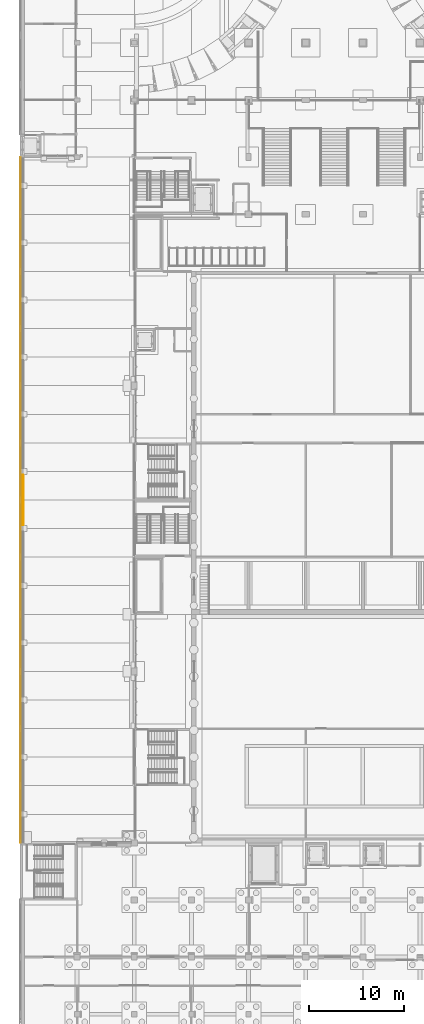
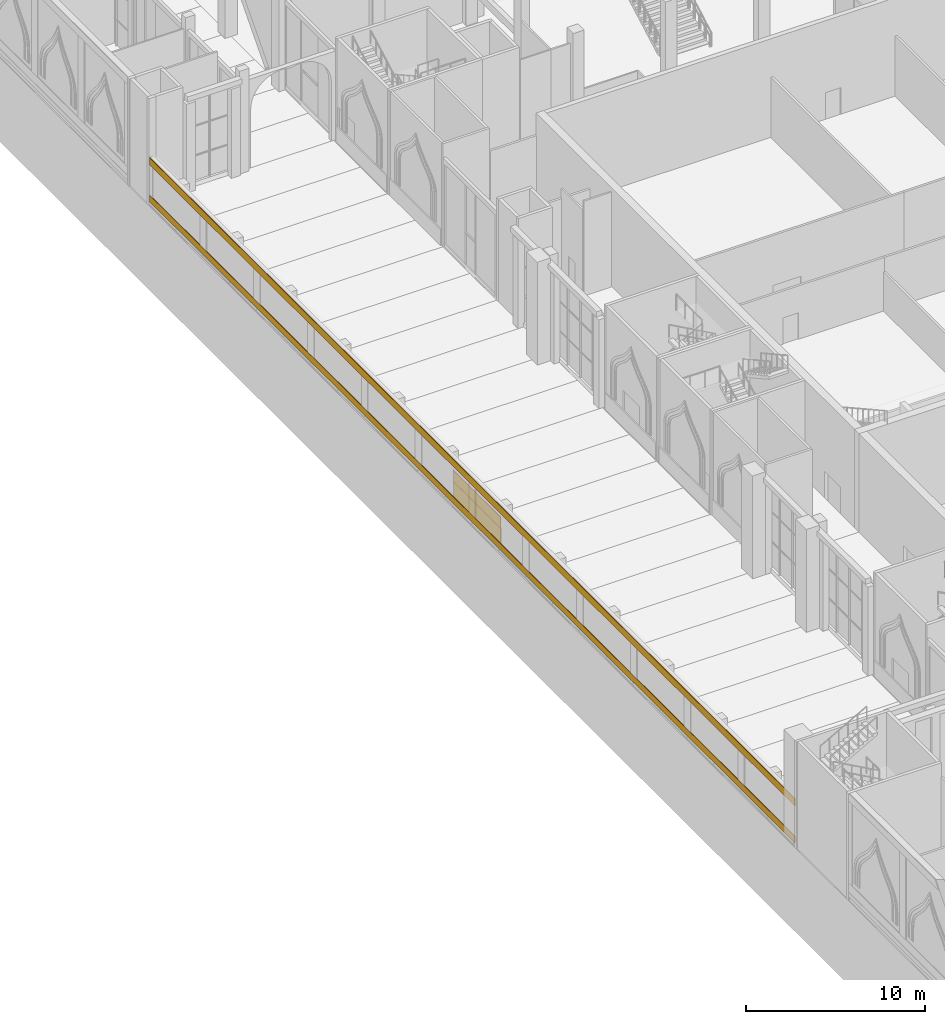
# One storey, part 75 of 95: 4 coverings.
"""IFC4 building model written with IfcOpenShell, lengths in metres."""

from ifc_helpers import new_model, si_unit, direction, frame, origin, origin_2d, place, context, subcontext, project, spatial, rectangle, extrude, material, layer, layer_set, type_object, element, save


model = new_model("IFC4")

# Units and contexts
model_context = context("Model", 3, precision=1e-05, world=origin(), true_north=direction((0.0, 1.0)))
body_context = subcontext(model_context, "Body", "Model", "MODEL_VIEW")
ifc_project = project(units=[si_unit("LENGTHUNIT", "METRE"), si_unit("AREAUNIT", "SQUARE_METRE"), si_unit("VOLUMEUNIT", "CUBIC_METRE"), si_unit("PLANEANGLEUNIT", "RADIAN"), si_unit("MASSUNIT", "GRAM", prefix="KILO")], contexts=[model_context])

# Site, building, storey
site_placement = place(None, origin())
site = spatial("IfcSite", under=ifc_project, at=site_placement, CompositionType="ELEMENT")
building_placement = place(site_placement, origin())
building = spatial("IfcBuilding", under=site, at=building_placement, Name="Saffron Lane Theatres", CompositionType="ELEMENT")
storey_placement = place(building_placement, origin())
storey = spatial("IfcBuildingStorey", under=building, at=storey_placement, Name="L00", CompositionType="ELEMENT", Elevation=0.0)

# Coverings
ifc_material_1 = material(Name="Masonry sandstone", Category="masonry")
ifc_layer_1 = layer(ifc_material_1, 0.0400390625)
ifc_layer_set_1 = layer_set([ifc_layer_1], Name="Masonry sandstone")
covering_type_1 = type_object("IfcCoveringType", Name="EX-BANDING COURSE SANDSTONE 40", PredefinedType="CLADDING", material=ifc_layer_set_1)
covering_1_placement = place(storey_placement, frame((0.330078125, 66.0, 1.10009765625), z_axis=(0.0, 0.0, 1.0), x_axis=(0.0, 1.0, 0.0)))
element("IfcCovering", 1, at=covering_1_placement, inside=storey, type_object=covering_type_1, Name="Banding course L00", PredefinedType="CLADDING", context=body_context, shape_type="SweptSolid", body=[
    extrude(rectangle(XDim=5.300048828125, YDim=0.0400390625, at=origin_2d()), origin(), (0.0, 0.0, 1.0), 0.75),
])
ifc_material_2 = material(Name="Face brick cladding, pale buff", Category="masonry")
ifc_layer_2 = layer(ifc_material_2, 0.0400390625)
ifc_layer_set_2 = layer_set([ifc_layer_2], Name="Face brick cladding, pale buff")
covering_type_2 = type_object("IfcCoveringType", Name="EX-FACE BRICK SKIN PALE BUFF 40", PredefinedType="CLADDING", material=ifc_layer_set_2)
covering_2_placement = place(storey_placement, frame((0.0400390625, 66.0, 0.0), z_axis=(0.0, 0.0, 1.0), x_axis=(0.0, 1.0, 0.0)))
element("IfcCovering", 2, at=covering_2_placement, inside=storey, type_object=covering_type_2, Name="Face brick cladding, pale buff L00", PredefinedType="CLADDING", context=body_context, shape_type="SweptSolid", body=[
    extrude(rectangle(XDim=72.0, YDim=0.0400390625, at=origin_2d()), origin(), (0.0, 0.0, 1.0), 0.449951171875),
])
covering_3_placement = place(storey_placement, frame((0.0400390625, 66.0, 2.5), z_axis=(0.0, 0.0, 1.0), x_axis=(0.0, 1.0, 0.0)))
element("IfcCovering", 3, at=covering_3_placement, inside=storey, type_object=covering_type_2, Name="Face brick cladding, pale buff L00", PredefinedType="CLADDING", context=body_context, shape_type="SweptSolid", body=[
    extrude(rectangle(XDim=72.0, YDim=0.0400390625, at=origin_2d()), origin(), (0.0, 0.0, 1.0), 0.5),
])
ifc_material_3 = material(Name="Masonry sandstone", Category="masonry")
ifc_layer_3 = layer(ifc_material_3, 0.070068359375)
ifc_layer_set_3 = layer_set([ifc_layer_3], Name="Masonry sandstone")
covering_type_3 = type_object("IfcCoveringType", Name="EX-PLINTH COURSE SANDSTONE 70", PredefinedType="CLADDING", material=ifc_layer_set_3)
covering_4_placement = place(storey_placement, frame((0.344970703125, 66.0, 0.0), z_axis=(0.0, 0.0, 1.0), x_axis=(0.0, 1.0, 0.0)))
element("IfcCovering", 4, at=covering_4_placement, inside=storey, type_object=covering_type_3, Name="Plinth course L00", PredefinedType="CLADDING", context=body_context, shape_type="SweptSolid", body=[
    extrude(rectangle(XDim=5.300048828125, YDim=0.070068359375, at=origin_2d()), origin(), (0.0, 0.0, 1.0), 1.10009765625),
])

save(model, "model.ifc")
